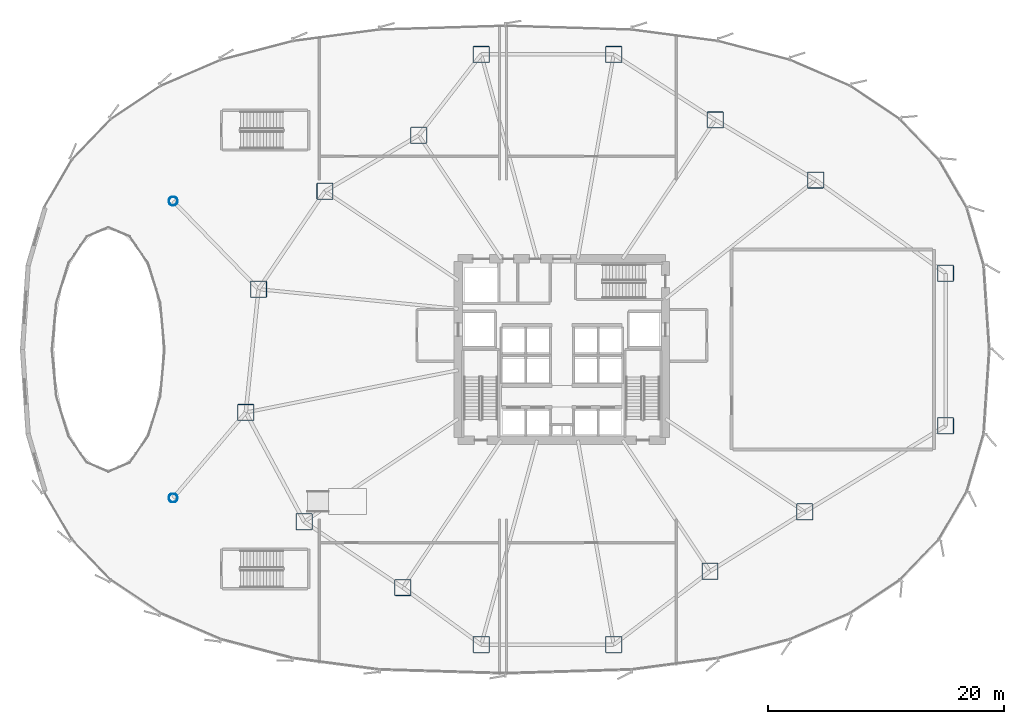
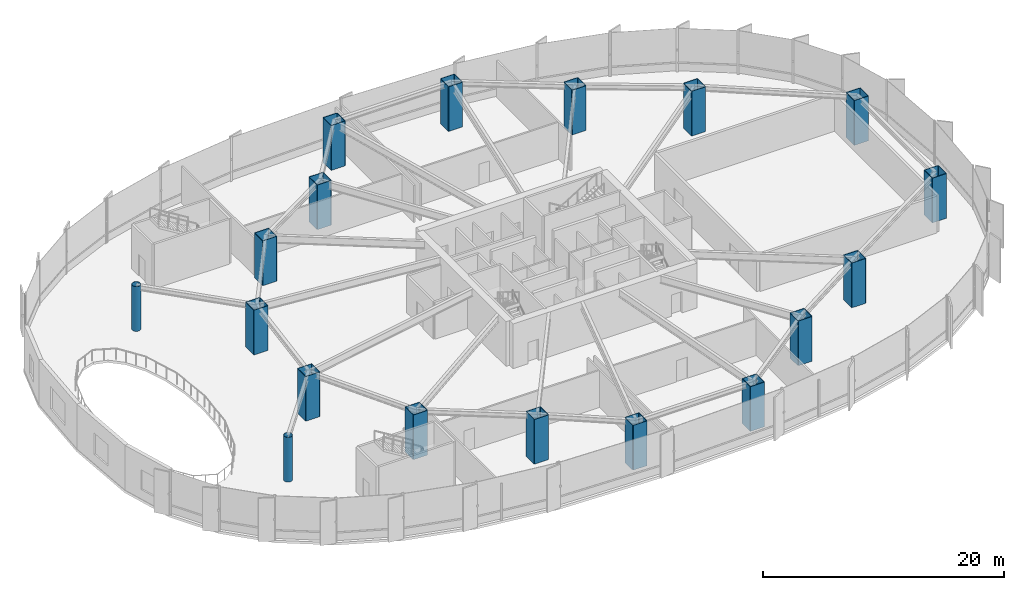
# One storey, part 1 of 33: 18 columns.
"""IFC4 building model written with IfcOpenShell, lengths in metres."""

from ifc_helpers import new_model, si_unit, direction, frame, origin, origin_2d, place, context, subcontext, project, spatial, hollow_rectangle, hollow_circle, extrude, source, transform, mapped, material, material_profile, profile_set, type_object, element, save


model = new_model("IFC4")

# Units and contexts
model_context = context("Model", 3, precision=1e-05, world=origin(), true_north=direction((0.0, 1.0)))
body_context = subcontext(model_context, "Body", "Model", "MODEL_VIEW")
ifc_project = project(units=[si_unit("LENGTHUNIT", "METRE"), si_unit("AREAUNIT", "SQUARE_METRE"), si_unit("VOLUMEUNIT", "CUBIC_METRE"), si_unit("PLANEANGLEUNIT", "RADIAN"), si_unit("MASSUNIT", "GRAM", prefix="KILO"), si_unit("THERMODYNAMICTEMPERATUREUNIT", "KELVIN")], contexts=[model_context])

# Site, building, storey
site_placement = place(None, origin())
site = spatial("IfcSite", under=ifc_project, at=site_placement, CompositionType="ELEMENT")
building_placement = place(site_placement, origin())
building = spatial("IfcBuilding", under=site, at=building_placement, Name="Kethvar Cultural Tower", CompositionType="ELEMENT")
storey_placement = place(building_placement, frame((0.0, 0.0, 10.0)))
storey = spatial("IfcBuildingStorey", under=building, at=storey_placement, Name="L02", CompositionType="ELEMENT", Elevation=10.0)

# Columns
ifc_material_1 = material(Name="Steel S460M", Category="steel")
ifc_material_profile_1 = material_profile(ifc_material_1, hollow_rectangle(XDim=1.39990234375, YDim=1.39990234375, WallThickness=0.050048828125, InnerFilletRadius=0.02490234375, OuterFilletRadius=0.074951171875, at=origin_2d()), Name="Steel S460M — BOX1400x1400x50")
ifc_profile_set_1 = profile_set([ifc_material_profile_1], Name="Steel S460M — BOX1400x1400x50")
column_type_1 = type_object("IfcColumnType", Name="COL-BOX1400", PredefinedType="COLUMN", material=ifc_profile_set_1)
shared_shape_1 = source(origin(), body_context, "Body", "SweptSolid", [
    extrude(hollow_rectangle(XDim=1.39990234375, YDim=1.39990234375, WallThickness=0.050048828125, InnerFilletRadius=0.02490234375, OuterFilletRadius=0.074951171875, at=origin_2d()), origin(), (0.0, 0.0, 1.0), 4.530029296875),
])
for number, where, z_axis, x_axis, name in (
    (1, (79.362060546875, 34.277099609375, 0.0), (0.0, 0.0, 1.0), (1.0, 0.0, 0.0), "L02 Podium Column C-01"),
    (2, (68.33642578125, 42.190185546875, 0.0), (0.0, 0.0, 1.0), (1.0, 0.0, 0.0), "L02 Podium Column C-02"),
    (3, (59.824951171875, 47.293212890625, 0.0), (0.0, 0.0, 1.0), (1.0, 0.0, 0.0), "L02 Podium Column C-03"),
    (4, (51.199951171875, 52.85009765625, 0.0), (0.0, 0.0, 1.0), (1.0, 0.0, 0.0), "L02 Podium Column C-04"),
    (5, (39.949951171875, 52.85009765625, 0.0), (0.0, 0.0, 1.0), (1.0, 0.0, 0.0), "L02 Podium Column C-05"),
    (6, (34.64599609375, 45.98974609375, 0.0), (0.0, 0.0, 1.0), (1.0, 0.0, 0.0), "L02 Podium Column C-06"),
    (7, (26.6845703125, 41.24072265625, 0.0), (0.0, 0.0, 1.0), (1.0, 0.0, 0.0), "L02 Podium Column C-07"),
    (8, (21.047119140625, 32.922607421875, 0.0), (0.0, 0.0, 1.0), (1.0, 0.0, 0.0), "L02 Podium Column C-08"),
    (9, (19.9658203125, 22.46240234375, 0.0), (0.0, 0.0, 1.0), (1.0, 0.0, 0.0), "L02 Podium Column C-09"),
    (10, (24.9248046875, 13.183349609375, 0.0), (0.0, 0.0, 1.0), (1.0, 0.0, 0.0), "L02 Podium Column C-10"),
    (11, (33.302001953125, 7.598876953125, 0.0), (0.0, 0.0, 1.0), (1.0, 0.0, 0.0), "L02 Podium Column C-11"),
    (12, (39.949951171875, 2.75, 0.0), (0.0, 0.0, 1.0), (1.0, 0.0, 0.0), "L02 Podium Column C-12"),
    (13, (51.199951171875, 2.75, 0.0), (0.0, 0.0, 1.0), (1.0, 0.0, 0.0), "L02 Podium Column C-13"),
    (14, (59.370361328125, 8.987060546875, 0.0), (0.0, 0.0, 1.0), (1.0, 0.0, 0.0), "L02 Podium Column C-14"),
    (15, (67.41845703125, 14.023193359375, 0.0), (0.0, 0.0, 1.0), (1.0, 0.0, 0.0), "L02 Podium Column C-15"),
    (16, (79.362060546875, 21.322998046875, 0.0), (0.0, 0.0, 1.0), (1.0, 0.0, 0.0), "L02 Podium Column C-16"),
):
    element("IfcColumn", number, at=place(storey_placement, frame(where, z_axis=z_axis, x_axis=x_axis)), inside=storey, type_object=column_type_1, Name=name, PredefinedType="COLUMN", context=body_context, shape_type="MappedRepresentation", body=[
        mapped(shared_shape_1, transform((0.0, 0.0, 0.0), scale=1.0)),
    ])
ifc_material_2 = material(Name="Steel S355J2", Category="steel")
ifc_material_profile_2 = material_profile(ifc_material_2, hollow_circle(Radius=0.381103515625, WallThickness=0.02490234375, at=origin_2d()), Name="Steel S355J2 — CHS762x25")
ifc_profile_set_2 = profile_set([ifc_material_profile_2], Name="Steel S355J2 — CHS762x25")
column_type_2 = type_object("IfcColumnType", Name="COL-CHS762", PredefinedType="COLUMN", material=ifc_profile_set_2)
shared_shape_2 = source(origin(), body_context, "Body", "SweptSolid", [
    extrude(hollow_circle(Radius=0.381103515625, WallThickness=0.02490234375, at=origin_2d()), origin(), (0.0, 0.0, 1.0), 4.530029296875),
])
for number, where, z_axis, x_axis, name in (
    (17, (13.800048828125, 15.199951171875, 0.0), (0.0, 0.0, 1.0), (1.0, 0.0, 0.0), "L02 Podium Column C-17"),
    (18, (13.800048828125, 40.39990234375, 0.0), (0.0, 0.0, 1.0), (1.0, 0.0, 0.0), "L02 Podium Column C-18"),
):
    element("IfcColumn", number, at=place(storey_placement, frame(where, z_axis=z_axis, x_axis=x_axis)), inside=storey, type_object=column_type_2, Name=name, PredefinedType="COLUMN", context=body_context, shape_type="MappedRepresentation", body=[
        mapped(shared_shape_2, transform((0.0, 0.0, 0.0), scale=1.0)),
    ])

save(model, "model.ifc")
